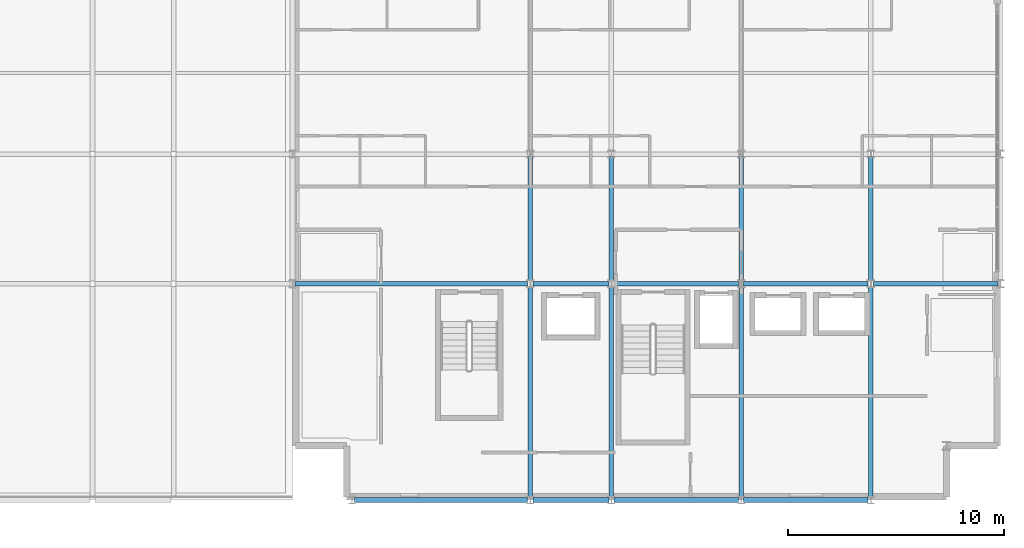
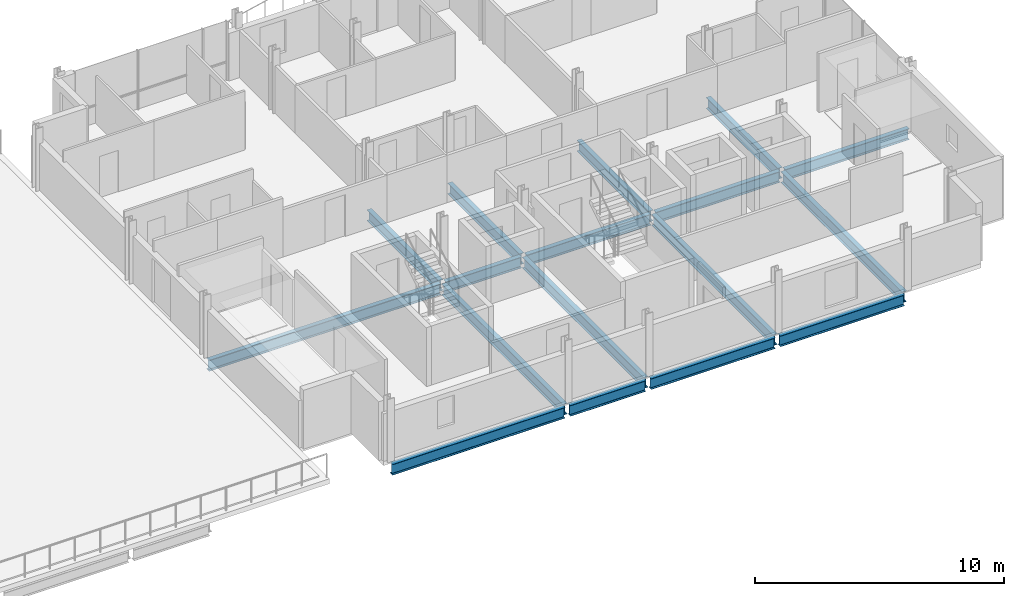
# One storey, part 4 of 17: 17 beams.
"""IFC4 building model written with IfcOpenShell, lengths in metres."""

from ifc_helpers import new_model, si_unit, direction, frame, origin, origin_2d, place, context, subcontext, project, spatial, i_section, extrude, material, material_profile, profile_set, type_object, element, save


model = new_model("IFC4")

# Units and contexts
model_context = context("Model", 3, precision=1e-05, world=origin(), true_north=direction((0.0, 1.0)))
body_context = subcontext(model_context, "Body", "Model", "MODEL_VIEW")
ifc_project = project(units=[si_unit("LENGTHUNIT", "METRE"), si_unit("AREAUNIT", "SQUARE_METRE"), si_unit("VOLUMEUNIT", "CUBIC_METRE"), si_unit("PLANEANGLEUNIT", "RADIAN"), si_unit("MASSUNIT", "GRAM", prefix="KILO")], contexts=[model_context])

# Site, building, storey
site_placement = place(None, origin())
site = spatial("IfcSite", under=ifc_project, at=site_placement, CompositionType="ELEMENT")
building_placement = place(site_placement, origin())
building = spatial("IfcBuilding", under=site, at=building_placement, Name="Brevholm Reach", CompositionType="ELEMENT")
storey_placement = place(building_placement, frame((0.0, 0.0, 221.10009765625)))
storey = spatial("IfcBuildingStorey", under=building, at=storey_placement, Name="L67", CompositionType="ELEMENT", Elevation=221.10009765625)

# Beams
ifc_material_1 = material(Name="Structural Steel S355J2", Category="steel")
ifc_material_profile_1 = material_profile(ifc_material_1, i_section(OverallWidth=0.209228515625, OverallDepth=0.533203125, WebThickness=0.010009765625, FlangeThickness=0.015625, FilletRadius=0.0126953125, at=origin_2d()), Name="UKB 533x210x92")
ifc_profile_set_1 = profile_set([ifc_material_profile_1], Name="Structural Steel S355J2")
beam_type_1 = type_object("IfcBeamType", Name="BM-SP533", PredefinedType="SPANDREL", material=ifc_profile_set_1)
beam_1_placement = place(storey_placement, frame((30.1201171875, 0.0, -0.4765625), z_axis=(1.0, 0.0, 0.0), x_axis=(0.0, 1.0, 0.0)))
element("IfcBeam", 1, at=beam_1_placement, inside=storey, type_object=beam_type_1, Name="L67 SP-02 Framing Beam", PredefinedType="SPANDREL", context=body_context, shape_type="SweptSolid", body=[
    extrude(i_section(OverallWidth=0.209228515625, OverallDepth=0.533203125, WebThickness=0.010009765625, FlangeThickness=0.015625, FilletRadius=0.0126953125, at=origin_2d()), origin(), (0.0, 0.0, 1.0), 8.009765625),
])
beam_2_placement = place(storey_placement, frame((38.3701171875, 0.0, -0.4765625), z_axis=(1.0, 0.0, 0.0), x_axis=(0.0, 1.0, 0.0)))
element("IfcBeam", 2, at=beam_2_placement, inside=storey, type_object=beam_type_1, Name="L67 SP-02 Framing Beam", PredefinedType="SPANDREL", context=body_context, shape_type="SweptSolid", body=[
    extrude(i_section(OverallWidth=0.209228515625, OverallDepth=0.533203125, WebThickness=0.010009765625, FlangeThickness=0.015625, FilletRadius=0.0126953125, at=origin_2d()), origin(), (0.0, 0.0, 1.0), 3.509765625),
])
for number, where, z_axis, x_axis, name in (
    (3, (42.1201171875, 0.0, -0.4765625), (1.0, 0.0, 0.0), (0.0, 1.0, 0.0), "L67 SP-02 Framing Beam"),
    (4, (48.1201171875, 0.0, -0.4765625), (1.0, 0.0, 0.0), (0.0, 1.0, 0.0), "L67 SP-02 Framing Beam"),
):
    element("IfcBeam", number, at=place(storey_placement, frame(where, z_axis=z_axis, x_axis=x_axis)), inside=storey, type_object=beam_type_1, Name=name, PredefinedType="SPANDREL", context=body_context, shape_type="SweptSolid", body=[
        extrude(i_section(OverallWidth=0.209228515625, OverallDepth=0.533203125, WebThickness=0.010009765625, FlangeThickness=0.015625, FilletRadius=0.0126953125, at=origin_2d()), origin(), (0.0, 0.0, 1.0), 5.759765625),
    ])
ifc_material_2 = material(Name="Structural Steel S355J2", Category="steel")
ifc_material_profile_2 = material_profile(ifc_material_2, i_section(OverallWidth=0.210693359375, OverallDepth=0.53955078125, WebThickness=0.01171875, FlangeThickness=0.018798828125, FilletRadius=0.0126953125, at=origin_2d()), Name="UKB 533x210x109")
ifc_profile_set_2 = profile_set([ifc_material_profile_2], Name="Structural Steel S355J2")
beam_type_2 = type_object("IfcBeamType", Name="BM-SP539", PredefinedType="SPANDREL", material=ifc_profile_set_2)
beam_3_placement = place(storey_placement, frame((27.3701171875, 10.0, -0.479736328125), z_axis=(1.0, 0.0, 0.0), x_axis=(0.0, 1.0, 0.0)))
element("IfcBeam", 5, at=beam_3_placement, inside=storey, type_object=beam_type_2, Name="L67 SP-01B Framing Beam", PredefinedType="SPANDREL", context=body_context, shape_type="SweptSolid", body=[
    extrude(i_section(OverallWidth=0.210693359375, OverallDepth=0.53955078125, WebThickness=0.01171875, FlangeThickness=0.018798828125, FilletRadius=0.0126953125, at=origin_2d()), origin(), (0.0, 0.0, 1.0), 10.759765625),
])
beam_4_placement = place(storey_placement, frame((38.3701171875, 10.0, -0.479736328125), z_axis=(1.0, 0.0, 0.0), x_axis=(0.0, 1.0, 0.0)))
element("IfcBeam", 6, at=beam_4_placement, inside=storey, type_object=beam_type_2, Name="L67 SP-01B Framing Beam", PredefinedType="SPANDREL", context=body_context, shape_type="SweptSolid", body=[
    extrude(i_section(OverallWidth=0.210693359375, OverallDepth=0.53955078125, WebThickness=0.01171875, FlangeThickness=0.018798828125, FilletRadius=0.0126953125, at=origin_2d()), origin(), (0.0, 0.0, 1.0), 3.509765625),
])
for number, where, z_axis, x_axis, name in (
    (7, (42.1201171875, 10.0, -0.479736328125), (1.0, 0.0, 0.0), (0.0, 1.0, 0.0), "L67 SP-01B Framing Beam"),
    (8, (48.1201171875, 10.0, -0.479736328125), (1.0, 0.0, 0.0), (0.0, 1.0, 0.0), "L67 SP-01B Framing Beam"),
    (9, (54.1201171875, 10.0, -0.479736328125), (1.0, 0.0, 0.0), (0.0, 1.0, 0.0), "L67 SP-01B Framing Beam"),
):
    element("IfcBeam", number, at=place(storey_placement, frame(where, z_axis=z_axis, x_axis=x_axis)), inside=storey, type_object=beam_type_2, Name=name, PredefinedType="SPANDREL", context=body_context, shape_type="SweptSolid", body=[
        extrude(i_section(OverallWidth=0.210693359375, OverallDepth=0.53955078125, WebThickness=0.01171875, FlangeThickness=0.018798828125, FilletRadius=0.0126953125, at=origin_2d()), origin(), (0.0, 0.0, 1.0), 5.759765625),
    ])
beam_5_placement = place(storey_placement, frame((38.25, 0.1201171875, -0.479736328125), z_axis=(0.0, 1.0, 0.0), x_axis=(-1.0, 0.0, 0.0)))
element("IfcBeam", 10, at=beam_5_placement, inside=storey, type_object=beam_type_2, Name="L67 SP-01B Framing Beam", PredefinedType="SPANDREL", context=body_context, shape_type="SweptSolid", body=[
    extrude(i_section(OverallWidth=0.210693359375, OverallDepth=0.53955078125, WebThickness=0.01171875, FlangeThickness=0.018798828125, FilletRadius=0.0126953125, at=origin_2d()), origin(), (0.0, 0.0, 1.0), 9.759765625),
])
beam_6_placement = place(storey_placement, frame((38.25, 10.1201171875, -0.479736328125), z_axis=(0.0, 1.0, 0.0), x_axis=(-1.0, 0.0, 0.0)))
element("IfcBeam", 11, at=beam_6_placement, inside=storey, type_object=beam_type_2, Name="L67 SP-01B Framing Beam", PredefinedType="SPANDREL", context=body_context, shape_type="SweptSolid", body=[
    extrude(i_section(OverallWidth=0.210693359375, OverallDepth=0.53955078125, WebThickness=0.01171875, FlangeThickness=0.018798828125, FilletRadius=0.0126953125, at=origin_2d()), origin(), (0.0, 0.0, 1.0), 5.759765625),
])
beam_7_placement = place(storey_placement, frame((42.0, 0.1201171875, -0.479736328125), z_axis=(0.0, 1.0, 0.0), x_axis=(-1.0, 0.0, 0.0)))
element("IfcBeam", 12, at=beam_7_placement, inside=storey, type_object=beam_type_2, Name="L67 SP-01B Framing Beam", PredefinedType="SPANDREL", context=body_context, shape_type="SweptSolid", body=[
    extrude(i_section(OverallWidth=0.210693359375, OverallDepth=0.53955078125, WebThickness=0.01171875, FlangeThickness=0.018798828125, FilletRadius=0.0126953125, at=origin_2d()), origin(), (0.0, 0.0, 1.0), 9.759765625),
])
beam_8_placement = place(storey_placement, frame((42.0, 10.1201171875, -0.479736328125), z_axis=(0.0, 1.0, 0.0), x_axis=(-1.0, 0.0, 0.0)))
element("IfcBeam", 13, at=beam_8_placement, inside=storey, type_object=beam_type_2, Name="L67 SP-01B Framing Beam", PredefinedType="SPANDREL", context=body_context, shape_type="SweptSolid", body=[
    extrude(i_section(OverallWidth=0.210693359375, OverallDepth=0.53955078125, WebThickness=0.01171875, FlangeThickness=0.018798828125, FilletRadius=0.0126953125, at=origin_2d()), origin(), (0.0, 0.0, 1.0), 5.759765625),
])
beam_9_placement = place(storey_placement, frame((48.0, 0.1201171875, -0.479736328125), z_axis=(0.0, 1.0, 0.0), x_axis=(-1.0, 0.0, 0.0)))
element("IfcBeam", 14, at=beam_9_placement, inside=storey, type_object=beam_type_2, Name="L67 SP-01B Framing Beam", PredefinedType="SPANDREL", context=body_context, shape_type="SweptSolid", body=[
    extrude(i_section(OverallWidth=0.210693359375, OverallDepth=0.53955078125, WebThickness=0.01171875, FlangeThickness=0.018798828125, FilletRadius=0.0126953125, at=origin_2d()), origin(), (0.0, 0.0, 1.0), 9.759765625),
])
beam_10_placement = place(storey_placement, frame((48.0, 10.1201171875, -0.479736328125), z_axis=(0.0, 1.0, 0.0), x_axis=(-1.0, 0.0, 0.0)))
element("IfcBeam", 15, at=beam_10_placement, inside=storey, type_object=beam_type_2, Name="L67 SP-01B Framing Beam", PredefinedType="SPANDREL", context=body_context, shape_type="SweptSolid", body=[
    extrude(i_section(OverallWidth=0.210693359375, OverallDepth=0.53955078125, WebThickness=0.01171875, FlangeThickness=0.018798828125, FilletRadius=0.0126953125, at=origin_2d()), origin(), (0.0, 0.0, 1.0), 5.759765625),
])
beam_11_placement = place(storey_placement, frame((54.0, 0.1201171875, -0.479736328125), z_axis=(0.0, 1.0, 0.0), x_axis=(-1.0, 0.0, 0.0)))
element("IfcBeam", 16, at=beam_11_placement, inside=storey, type_object=beam_type_2, Name="L67 SP-01B Framing Beam", PredefinedType="SPANDREL", context=body_context, shape_type="SweptSolid", body=[
    extrude(i_section(OverallWidth=0.210693359375, OverallDepth=0.53955078125, WebThickness=0.01171875, FlangeThickness=0.018798828125, FilletRadius=0.0126953125, at=origin_2d()), origin(), (0.0, 0.0, 1.0), 9.759765625),
])
beam_12_placement = place(storey_placement, frame((54.0, 10.1201171875, -0.479736328125), z_axis=(0.0, 1.0, 0.0), x_axis=(-1.0, 0.0, 0.0)))
element("IfcBeam", 17, at=beam_12_placement, inside=storey, type_object=beam_type_2, Name="L67 SP-01B Framing Beam", PredefinedType="SPANDREL", context=body_context, shape_type="SweptSolid", body=[
    extrude(i_section(OverallWidth=0.210693359375, OverallDepth=0.53955078125, WebThickness=0.01171875, FlangeThickness=0.018798828125, FilletRadius=0.0126953125, at=origin_2d()), origin(), (0.0, 0.0, 1.0), 5.759765625),
])

save(model, "model.ifc")
